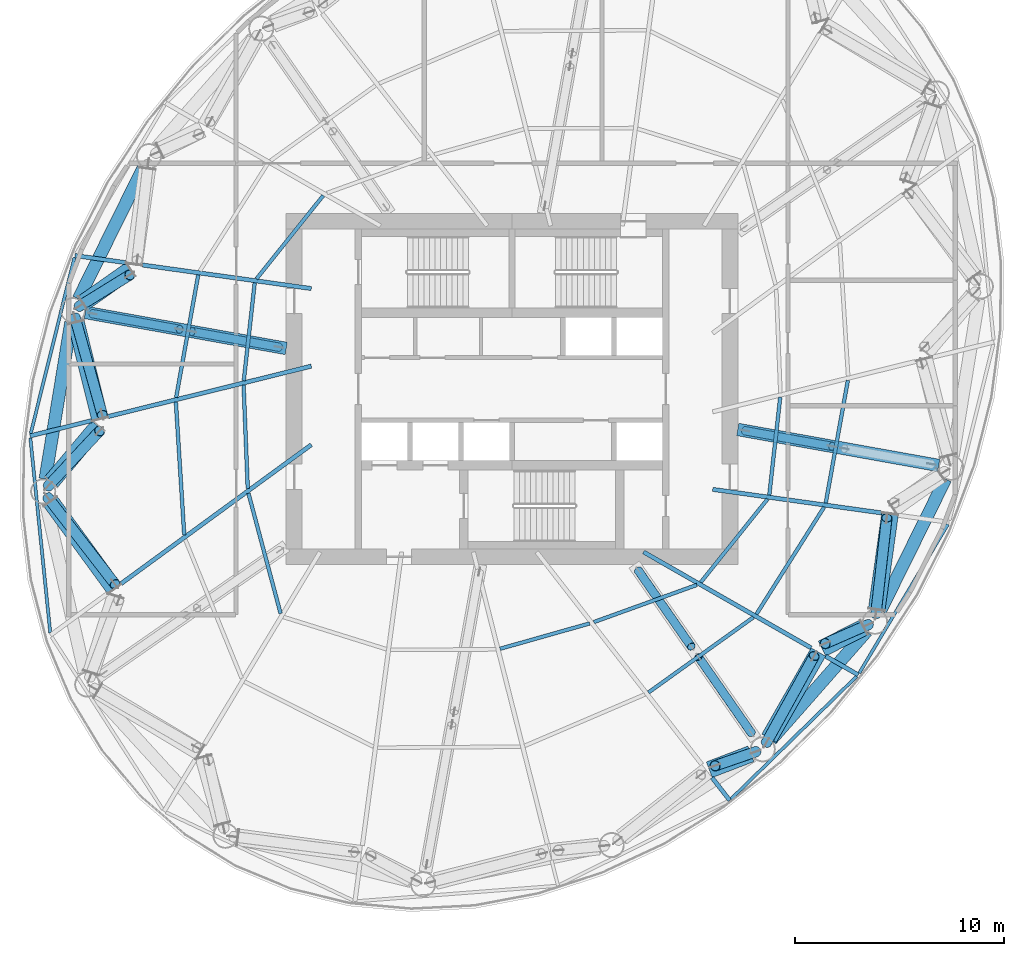
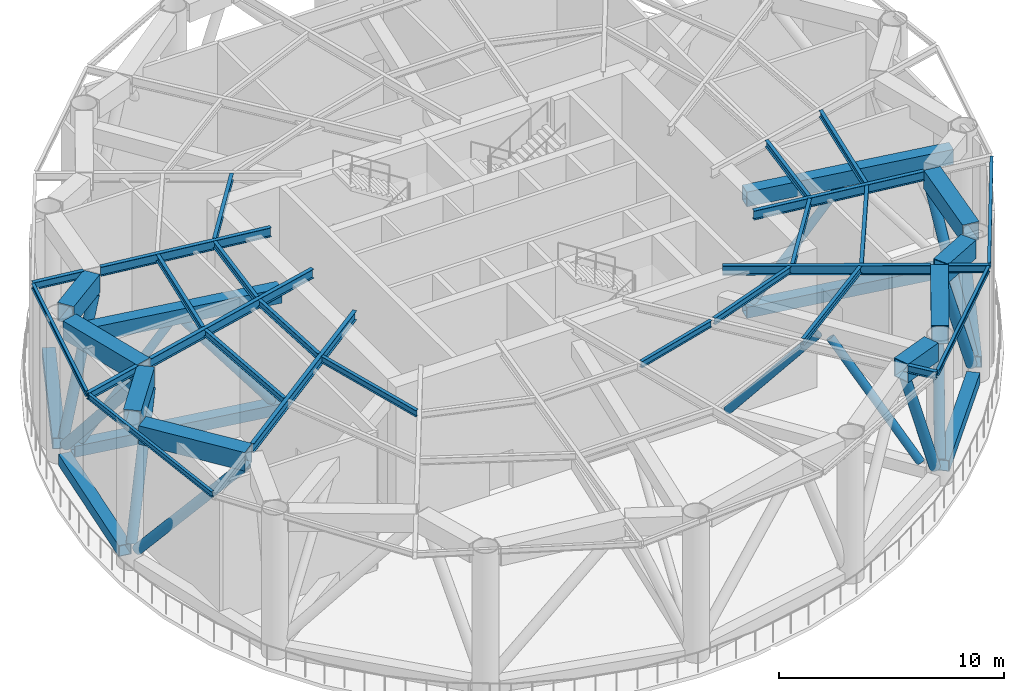
# One storey, part 2 of 15: 29 members, 26 beams.
"""IFC4 building model written with IfcOpenShell, lengths in metres."""

from ifc_helpers import new_model, si_unit, direction, frame, origin, origin_2d, place, context, subcontext, project, spatial, hollow_rectangle, hollow_circle, i_section, extrude, material, material_profile, profile_set, type_object, element, save


model = new_model("IFC4")

# Units and contexts
model_context = context("Model", 3, precision=1e-05, world=origin(), true_north=direction((0.0, 1.0)))
body_context = subcontext(model_context, "Body", "Model", "MODEL_VIEW")
ifc_project = project(units=[si_unit("LENGTHUNIT", "METRE"), si_unit("AREAUNIT", "SQUARE_METRE"), si_unit("VOLUMEUNIT", "CUBIC_METRE"), si_unit("PLANEANGLEUNIT", "RADIAN"), si_unit("MASSUNIT", "GRAM", prefix="KILO")], contexts=[model_context])

# Site, building, storey
site_placement = place(None, origin())
site = spatial("IfcSite", under=ifc_project, at=site_placement, CompositionType="ELEMENT")
building_placement = place(site_placement, origin())
building = spatial("IfcBuilding", under=site, at=building_placement, Name="Vermilion Reach Broadcast Tower", CompositionType="ELEMENT")
storey_placement = place(building_placement, frame((0.0, 0.0, 246.10009765625)))
storey = spatial("IfcBuildingStorey", under=building, at=storey_placement, Name="L61", CompositionType="ELEMENT", Elevation=246.10009765625)

# Members
ifc_material_1 = material(Name="Steel S460NL", Category="steel")
ifc_material_profile_1 = material_profile(ifc_material_1, hollow_rectangle(XDim=0.60009765625, YDim=0.60009765625, WallThickness=0.030029296875, at=origin_2d()), Name="S460NL BOX 600x600x30")
ifc_profile_set_1 = profile_set([ifc_material_profile_1], Name="Steel S460NL")
member_type_1 = type_object("IfcMemberType", Name="BT4-BC BOX 600x600x30", PredefinedType="CHORD", material=ifc_profile_set_1)
member_1_placement = place(storey_placement, frame((-23.628662109375, 10.595947265625, 0.2998046875), z_axis=(-0.442977497199, -0.896532730566, 0.0), x_axis=(0.896532730566, -0.442977497199, 0.0)))
element("IfcMember", 1, at=member_1_placement, inside=storey, type_object=member_type_1, Name="Belt truss bottom chord BT4-BC05", PredefinedType="CHORD", context=body_context, shape_type="SweptSolid", body=[
    extrude(hollow_rectangle(XDim=0.60009765625, YDim=0.60009765625, WallThickness=0.030029296875, at=origin_2d()), origin(), (0.0, 0.0, 1.0), 7.0166015625),
])
member_2_placement = place(storey_placement, frame((-27.099609375, 3.175537109375, 0.2998046875), z_axis=(-0.161778110263, -0.986827159659, 0.0), x_axis=(0.986827159659, -0.161778110263, 0.0)))
element("IfcMember", 2, at=member_2_placement, inside=storey, type_object=member_type_1, Name="Belt truss bottom chord BT4-BC06", PredefinedType="CHORD", context=body_context, shape_type="SweptSolid", body=[
    extrude(hollow_rectangle(XDim=0.60009765625, YDim=0.60009765625, WallThickness=0.030029296875, at=origin_2d()), origin(), (0.0, 0.0, 1.0), 7.584716796875),
])
member_3_placement = place(storey_placement, frame((6.3896484375, -16.786376953125, 0.2998046875), z_axis=(0.660565141761, 0.750768735024, 0.0), x_axis=(-0.750768735024, 0.660565141761, 0.0)))
element("IfcMember", 3, at=member_3_placement, inside=storey, type_object=member_type_1, Name="Belt truss bottom chord BT4-BC12", PredefinedType="CHORD", context=body_context, shape_type="SweptSolid", body=[
    extrude(hollow_rectangle(XDim=0.60009765625, YDim=0.60009765625, WallThickness=0.030029296875, at=origin_2d()), origin(), (0.0, 0.0, 1.0), 6.9287109375),
])
member_4_placement = place(storey_placement, frame((11.628662109375, -10.595947265625, 0.2998046875), z_axis=(0.442977497199, 0.896532730566, 0.0), x_axis=(-0.896532730566, 0.442977497199, 0.0)))
element("IfcMember", 4, at=member_4_placement, inside=storey, type_object=member_type_1, Name="Belt truss bottom chord BT4-BC13", PredefinedType="CHORD", context=body_context, shape_type="SweptSolid", body=[
    extrude(hollow_rectangle(XDim=0.60009765625, YDim=0.60009765625, WallThickness=0.030029296875, at=origin_2d()), origin(), (0.0, 0.0, 1.0), 7.0166015625),
])
ifc_material_2 = material(Name="Steel S355J2H", Category="steel")
ifc_material_profile_2 = material_profile(ifc_material_2, hollow_circle(Radius=0.25390625, WallThickness=0.02001953125, at=origin_2d()), Name="S355J2H CHS 508x20")
ifc_profile_set_2 = profile_set([ifc_material_profile_2], Name="Steel S355J2H")
member_type_2 = type_object("IfcMemberType", Name="BT4-D CHS 508x20", PredefinedType="BRACE", material=ifc_profile_set_2)
member_5_placement = place(storey_placement, frame((-26.705078125, 3.951904296875, 0.7998046875), z_axis=(0.362666063181, 0.22450930383, 0.904471613215), x_axis=(-0.526357565355, 0.850263320033, 0.0)))
element("IfcMember", 5, at=member_5_placement, inside=storey, type_object=member_type_2, Name="Belt truss diagonal BT4-D05B", PredefinedType="BRACE", context=body_context, shape_type="SweptSolid", body=[
    extrude(hollow_circle(Radius=0.25390625, WallThickness=0.02001953125, at=origin_2d()), origin(), (0.0, 0.0, 1.0), 6.677978515625),
])
member_6_placement = place(storey_placement, frame((-26.907958984375, 3.4306640625, 0.7998046875), z_axis=(0.168900208809, -0.601768126734, 0.780607353995), x_axis=(0.962795533332, 0.270230940118, 0.0)))
element("IfcMember", 6, at=member_6_placement, inside=storey, type_object=member_type_2, Name="Belt truss diagonal BT4-D06A", PredefinedType="BRACE", context=body_context, shape_type="SweptSolid", body=[
    extrude(hollow_circle(Radius=0.25390625, WallThickness=0.02001953125, at=origin_2d()), origin(), (0.0, 0.0, 1.0), 7.737548828125),
])
member_7_placement = place(storey_placement, frame((-28.18505859375, -4.6455078125, 0.7998046875), z_axis=(0.349136972785, 0.374174545629, 0.85912559247), x_axis=(-0.731145521254, 0.682221537883, 0.0)))
element("IfcMember", 7, at=member_7_placement, inside=storey, type_object=member_type_2, Name="Belt truss diagonal BT4-D06B", PredefinedType="BRACE", context=body_context, shape_type="SweptSolid", body=[
    extrude(hollow_circle(Radius=0.25390625, WallThickness=0.02001953125, at=origin_2d()), origin(), (0.0, 0.0, 1.0), 7.030517578125),
])
member_8_placement = place(storey_placement, frame((-28.20947265625, -5.17822265625, 0.7998046875), z_axis=(0.401701518429, -0.518774221575, 0.75465833138), x_axis=(0.790672162432, 0.612239766394, 0.0)))
element("IfcMember", 8, at=member_8_placement, inside=storey, type_object=member_type_2, Name="Belt truss diagonal BT4-D07A", PredefinedType="BRACE", context=body_context, shape_type="SweptSolid", body=[
    extrude(hollow_circle(Radius=0.25390625, WallThickness=0.02001953125, at=origin_2d()), origin(), (0.0, 0.0, 1.0), 8.003662109375),
])
member_9_placement = place(storey_placement, frame((5.662353515625, -17.35107421875, 0.7998046875), z_axis=(-0.30516783839, -0.105356929538, 0.946452591423), x_axis=(0.326341241305, -0.945252026829, 0.0)))
element("IfcMember", 9, at=member_9_placement, inside=storey, type_object=member_type_2, Name="Belt truss diagonal BT4-D11B", PredefinedType="BRACE", context=body_context, shape_type="SweptSolid", body=[
    extrude(hollow_circle(Radius=0.25390625, WallThickness=0.02001953125, at=origin_2d()), origin(), (0.0, 0.0, 1.0), 6.3818359375),
])
member_10_placement = place(storey_placement, frame((6.162353515625, -16.930419921875, 0.7998046875), z_axis=(0.298284173406, 0.540808947882, 0.786480917623), x_axis=(-0.875641488517, 0.482961679212, 0.0)))
element("IfcMember", 10, at=member_10_placement, inside=storey, type_object=member_type_2, Name="Belt truss diagonal BT4-D12A", PredefinedType="BRACE", context=body_context, shape_type="SweptSolid", body=[
    extrude(hollow_circle(Radius=0.25390625, WallThickness=0.02001953125, at=origin_2d()), origin(), (0.0, 0.0, 1.0), 7.679931640625),
])
member_11_placement = place(storey_placement, frame((11.042236328125, -11.2744140625, 0.7998046875), z_axis=(-0.319698294207, -0.139962701078, 0.937125094631), x_axis=(0.401046572744, -0.916057665483, 0.0)))
element("IfcMember", 11, at=member_11_placement, inside=storey, type_object=member_type_2, Name="Belt truss diagonal BT4-D12B", PredefinedType="BRACE", context=body_context, shape_type="SweptSolid", body=[
    extrude(hollow_circle(Radius=0.25390625, WallThickness=0.02001953125, at=origin_2d()), origin(), (0.0, 0.0, 1.0), 6.4453125),
])
member_12_placement = place(storey_placement, frame((11.402587890625, -10.7861328125, 0.7998046875), z_axis=(0.069033332246, 0.605923656347, 0.792521874599), x_axis=(-0.993572399398, 0.113198441486, 0.0)))
element("IfcMember", 12, at=member_12_placement, inside=storey, type_object=member_type_2, Name="Belt truss diagonal BT4-D13A", PredefinedType="BRACE", context=body_context, shape_type="SweptSolid", body=[
    extrude(hollow_circle(Radius=0.25390625, WallThickness=0.02001953125, at=origin_2d()), origin(), (0.0, 0.0, 1.0), 7.621337890625),
])
ifc_material_3 = material(Name="Steel S460NL", Category="steel")
ifc_material_profile_3 = material_profile(ifc_material_3, hollow_rectangle(XDim=0.800048828125, YDim=1.0, WallThickness=0.0400390625, at=origin_2d()), Name="S460NL BOX 800x1000x40")
ifc_profile_set_3 = profile_set([ifc_material_profile_3], Name="Steel S460NL")
member_type_3 = type_object("IfcMemberType", Name="BT4-TC BOX 800x1000x40", PredefinedType="CHORD", material=ifc_profile_set_3)
member_13_placement = place(storey_placement, frame((-24.251708984375, 5.70703125, 7.349853515625), z_axis=(-0.817321246994, -0.576182244791, 0.0), x_axis=(0.576182244791, -0.817321246994, 0.0)))
element("IfcMember", 13, at=member_13_placement, inside=storey, type_object=member_type_3, Name="Belt truss top chord BT4-TC10", PredefinedType="CHORD", context=body_context, shape_type="SweptSolid", body=[
    extrude(hollow_rectangle(XDim=0.800048828125, YDim=1.0, WallThickness=0.0400390625, at=origin_2d()), origin(), (0.0, 0.0, 1.0), 2.755859375),
])
member_14_placement = place(storey_placement, frame((-26.855712890625, 3.175537109375, 7.349853515625), z_axis=(0.240860199822, -0.970559819971, 0.0), x_axis=(0.970559819971, 0.240860199822, 0.0)))
element("IfcMember", 14, at=member_14_placement, inside=storey, type_object=member_type_3, Name="Belt truss top chord BT4-TC11", PredefinedType="CHORD", context=body_context, shape_type="SweptSolid", body=[
    extrude(hollow_rectangle(XDim=0.800048828125, YDim=1.0, WallThickness=0.0400390625, at=origin_2d()), origin(), (0.0, 0.0, 1.0), 4.732666015625),
])
member_15_placement = place(storey_placement, frame((-25.800048828125, -1.780029296875, 7.349853515625), z_axis=(-0.64342651771, -0.765507881284, 0.0), x_axis=(0.765507881284, -0.64342651771, 0.0)))
element("IfcMember", 15, at=member_15_placement, inside=storey, type_object=member_type_3, Name="Belt truss top chord BT4-TC12", PredefinedType="CHORD", context=body_context, shape_type="SweptSolid", body=[
    extrude(hollow_rectangle(XDim=0.800048828125, YDim=1.0, WallThickness=0.0400390625, at=origin_2d()), origin(), (0.0, 0.0, 1.0), 3.4677734375),
])
member_16_placement = place(storey_placement, frame((-28.06396484375, -5.39404296875, 7.349853515625), z_axis=(0.58965388563, -0.807656050037, 0.0), x_axis=(0.807656050037, 0.58965388563, 0.0)))
element("IfcMember", 16, at=member_16_placement, inside=storey, type_object=member_type_3, Name="Belt truss top chord BT4-TC13", PredefinedType="CHORD", context=body_context, shape_type="SweptSolid", body=[
    extrude(hollow_rectangle(XDim=0.800048828125, YDim=1.0, WallThickness=0.0400390625, at=origin_2d()), origin(), (0.0, 0.0, 1.0), 5.148193359375),
])
member_17_placement = place(storey_placement, frame((3.437255859375, -18.214599609375, 7.349853515625), z_axis=(0.934006774125, 0.357255295117, 0.0), x_axis=(-0.357255295117, 0.934006774125, 0.0)))
element("IfcMember", 17, at=member_17_placement, inside=storey, type_object=member_type_3, Name="Belt truss top chord BT4-TC22", PredefinedType="CHORD", context=body_context, shape_type="SweptSolid", body=[
    extrude(hollow_rectangle(XDim=0.800048828125, YDim=1.0, WallThickness=0.0400390625, at=origin_2d()), origin(), (0.0, 0.0, 1.0), 2.126708984375),
])
member_18_placement = place(storey_placement, frame((6.29638671875, -16.70751953125, 7.349853515625), z_axis=(0.496675773172, 0.867936159141, 0.0), x_axis=(-0.867936159141, 0.496675773172, 0.0)))
element("IfcMember", 18, at=member_18_placement, inside=storey, type_object=member_type_3, Name="Belt truss top chord BT4-TC23", PredefinedType="CHORD", context=body_context, shape_type="SweptSolid", body=[
    extrude(hollow_rectangle(XDim=0.800048828125, YDim=1.0, WallThickness=0.0400390625, at=origin_2d()), origin(), (0.0, 0.0, 1.0), 4.749755859375),
])
member_19_placement = place(storey_placement, frame((8.82861328125, -12.42041015625, 7.349853515625), z_axis=(0.891698013812, 0.452630812212, 0.0), x_axis=(-0.452630812212, 0.891698013812, 0.0)))
element("IfcMember", 19, at=member_19_placement, inside=storey, type_object=member_type_3, Name="Belt truss top chord BT4-TC24", PredefinedType="CHORD", context=body_context, shape_type="SweptSolid", body=[
    extrude(hollow_rectangle(XDim=0.800048828125, YDim=1.0, WallThickness=0.0400390625, at=origin_2d()), origin(), (0.0, 0.0, 1.0), 2.23193359375),
])
member_20_placement = place(storey_placement, frame((11.447265625, -10.52978515625, 7.349853515625), z_axis=(0.138209386022, 0.990403031909, 0.0), x_axis=(-0.990403031909, 0.138209386022, 0.0)))
element("IfcMember", 20, at=member_20_placement, inside=storey, type_object=member_type_3, Name="Belt truss top chord BT4-TC25", PredefinedType="CHORD", context=body_context, shape_type="SweptSolid", body=[
    extrude(hollow_rectangle(XDim=0.800048828125, YDim=1.0, WallThickness=0.0400390625, at=origin_2d()), origin(), (0.0, 0.0, 1.0), 4.58740234375),
])

# Beams
ifc_material_4 = material(Name="Steel S355J2", Category="steel")
ifc_material_profile_4 = material_profile(ifc_material_4, i_section(OverallWidth=0.14990234375, OverallDepth=0.300048828125, WebThickness=0.006591796875, FlangeThickness=0.009033203125, at=origin_2d()), Name="S355J2 HN 300x150x6.5x9")
ifc_profile_set_4 = profile_set([ifc_material_profile_4], Name="Steel S355J2")
beam_type_1 = type_object("IfcBeamType", Name="EB5 HN 300x150x6.5x9", PredefinedType="BEAM", material=ifc_profile_set_4)
beam_1_placement = place(storey_placement, frame((-26.929931640625, 6.282958984375, 7.699951171875), z_axis=(-0.241210883197, -0.970472724927, 0.0), x_axis=(0.970472724927, -0.241210883197, 0.0)))
element("IfcBeam", 21, at=beam_1_placement, inside=storey, type_object=beam_type_1, Name="Edge beam EB5-05", PredefinedType="BEAM", context=body_context, shape_type="SweptSolid", body=[
    extrude(i_section(OverallWidth=0.14990234375, OverallDepth=0.300048828125, WebThickness=0.006591796875, FlangeThickness=0.009033203125, at=origin_2d()), origin(), (0.0, 0.0, 1.0), 8.674072265625),
])
beam_2_placement = place(storey_placement, frame((-29.0390625, -2.34521484375, 7.699951171875), z_axis=(0.101813852485, -0.994803467747, 0.0), x_axis=(0.994803467747, 0.101813852485, 0.0)))
element("IfcBeam", 22, at=beam_2_placement, inside=storey, type_object=beam_type_1, Name="Edge beam EB5-06", PredefinedType="BEAM", context=body_context, shape_type="SweptSolid", body=[
    extrude(i_section(OverallWidth=0.14990234375, OverallDepth=0.300048828125, WebThickness=0.006591796875, FlangeThickness=0.009033203125, at=origin_2d()), origin(), (0.0, 0.0, 1.0), 9.36376953125),
])
beam_3_placement = place(storey_placement, frame((4.48583984375, -19.606689453125, 7.699951171875), z_axis=(0.715456044362, 0.698657747817, 0.0), x_axis=(-0.698657747817, 0.715456044362, 0.0)))
element("IfcBeam", 23, at=beam_3_placement, inside=storey, type_object=beam_type_1, Name="Edge beam EB5-11", PredefinedType="BEAM", context=body_context, shape_type="SweptSolid", body=[
    extrude(i_section(OverallWidth=0.14990234375, OverallDepth=0.300048828125, WebThickness=0.006591796875, FlangeThickness=0.009033203125, at=origin_2d()), origin(), (0.0, 0.0, 1.0), 8.385986328125),
])
beam_4_placement = place(storey_placement, frame((10.611328125, -13.589111328125, 7.699951171875), z_axis=(0.511796842836, 0.859106507753, 0.0), x_axis=(-0.859106507753, 0.511796842836, 0.0)))
element("IfcBeam", 24, at=beam_4_placement, inside=storey, type_object=beam_type_1, Name="Edge beam EB5-12", PredefinedType="BEAM", context=body_context, shape_type="SweptSolid", body=[
    extrude(i_section(OverallWidth=0.14990234375, OverallDepth=0.300048828125, WebThickness=0.006591796875, FlangeThickness=0.009033203125, at=origin_2d()), origin(), (0.0, 0.0, 1.0), 8.2822265625),
])
ifc_material_5 = material(Name="Steel S355J2", Category="steel")
ifc_material_profile_5 = material_profile(ifc_material_5, i_section(OverallWidth=0.199951171875, OverallDepth=0.5, WebThickness=0.010009765625, FlangeThickness=0.01611328125, at=origin_2d()), Name="S355J2 HN 500x200x10x16")
ifc_profile_set_5 = profile_set([ifc_material_profile_5], Name="Steel S355J2")
beam_type_2 = type_object("IfcBeamType", Name="G5 HN 500x200x10x16", PredefinedType="BEAM", material=ifc_profile_set_5)
beam_5_placement = place(storey_placement, frame((-15.60009765625, 4.802734375, 7.599853515625), z_axis=(-0.990400135044, 0.138230143259, 0.0), x_axis=(-0.138230143259, -0.990400135044, 0.0)))
element("IfcBeam", 25, at=beam_5_placement, inside=storey, type_object=beam_type_2, Name="Girder G5-05", PredefinedType="BEAM", context=body_context, shape_type="SweptSolid", body=[
    extrude(i_section(OverallWidth=0.199951171875, OverallDepth=0.5, WebThickness=0.010009765625, FlangeThickness=0.01611328125, at=origin_2d()), origin(), (0.0, 0.0, 1.0), 8.163330078125),
])
beam_6_placement = place(storey_placement, frame((-15.60009765625, 1.092529296875, 7.599853515625), z_axis=(-0.970565152156, -0.240838712463, 0.0), x_axis=(0.240838712463, -0.970565152156, 0.0)))
element("IfcBeam", 26, at=beam_6_placement, inside=storey, type_object=beam_type_2, Name="Girder G5-06", PredefinedType="BEAM", context=body_context, shape_type="SweptSolid", body=[
    extrude(i_section(OverallWidth=0.199951171875, OverallDepth=0.5, WebThickness=0.010009765625, FlangeThickness=0.01611328125, at=origin_2d()), origin(), (0.0, 0.0, 1.0), 10.0224609375),
])
beam_7_placement = place(storey_placement, frame((-15.60009765625, -2.66845703125, 7.599853515625), z_axis=(-0.807649347064, -0.589663066663, 0.0), x_axis=(0.589663066663, -0.807649347064, 0.0)))
element("IfcBeam", 27, at=beam_7_placement, inside=storey, type_object=beam_type_2, Name="Girder G5-07", PredefinedType="BEAM", context=body_context, shape_type="SweptSolid", body=[
    extrude(i_section(OverallWidth=0.199951171875, OverallDepth=0.5, WebThickness=0.010009765625, FlangeThickness=0.01611328125, at=origin_2d()), origin(), (0.0, 0.0, 1.0), 11.273681640625),
])
beam_8_placement = place(storey_placement, frame((0.29443359375, -7.800048828125, 7.599853515625), z_axis=(0.867914274008, -0.496714015278, 0.0), x_axis=(0.496714015278, 0.867914274008, 0.0)))
element("IfcBeam", 28, at=beam_8_placement, inside=storey, type_object=beam_type_2, Name="Girder G5-12", PredefinedType="BEAM", context=body_context, shape_type="SweptSolid", body=[
    extrude(i_section(OverallWidth=0.199951171875, OverallDepth=0.5, WebThickness=0.010009765625, FlangeThickness=0.01611328125, at=origin_2d()), origin(), (0.0, 0.0, 1.0), 9.233642578125),
])
beam_9_placement = place(storey_placement, frame((3.60009765625, -4.802734375, 7.599853515625), z_axis=(0.990400135044, -0.138230143259, 0.0), x_axis=(0.138230143259, 0.990400135044, 0.0)))
element("IfcBeam", 29, at=beam_9_placement, inside=storey, type_object=beam_type_2, Name="Girder G5-13", PredefinedType="BEAM", context=body_context, shape_type="SweptSolid", body=[
    extrude(i_section(OverallWidth=0.199951171875, OverallDepth=0.5, WebThickness=0.010009765625, FlangeThickness=0.01611328125, at=origin_2d()), origin(), (0.0, 0.0, 1.0), 8.163330078125),
])
ifc_material_6 = material(Name="Steel S355J2", Category="steel")
ifc_material_profile_6 = material_profile(ifc_material_6, i_section(OverallWidth=0.199951171875, OverallDepth=0.39990234375, WebThickness=0.008056640625, FlangeThickness=0.012939453125, at=origin_2d()), Name="S355J2 HN 400x200x8x13")
ifc_profile_set_6 = profile_set([ifc_material_profile_6], Name="Steel S355J2")
beam_type_3 = type_object("IfcBeamType", Name="GC5 HN 400x200x8x13", PredefinedType="BEAM", material=ifc_profile_set_6)
beam_10_placement = place(storey_placement, frame((-24.4775390625, 6.041748046875, 7.64990234375), z_axis=(-0.990400456991, 0.138227836531, 0.0), x_axis=(-0.138227836531, -0.990400456991, 0.0)))
element("IfcBeam", 30, at=beam_10_placement, inside=storey, type_object=beam_type_3, Name="Cantilever girder GC5-05", PredefinedType="BEAM", context=body_context, shape_type="SweptSolid", body=[
    extrude(i_section(OverallWidth=0.199951171875, OverallDepth=0.39990234375, WebThickness=0.008056640625, FlangeThickness=0.012939453125, at=origin_2d()), origin(), (0.0, 0.0, 1.0), 2.451416015625),
])
beam_11_placement = place(storey_placement, frame((-26.104248046875, -1.513916015625, 7.64990234375), z_axis=(-0.970552852649, -0.240888273301, 0.0), x_axis=(0.240888273301, -0.970552852649, 0.0)))
element("IfcBeam", 31, at=beam_11_placement, inside=storey, type_object=beam_type_3, Name="Cantilever girder GC5-06", PredefinedType="BEAM", context=body_context, shape_type="SweptSolid", body=[
    extrude(i_section(OverallWidth=0.199951171875, OverallDepth=0.39990234375, WebThickness=0.008056640625, FlangeThickness=0.012939453125, at=origin_2d()), origin(), (0.0, 0.0, 1.0), 3.034423828125),
])
beam_12_placement = place(storey_placement, frame((3.571533203125, -18.593017578125, 7.64990234375), z_axis=(0.613571172347, -0.789639421803, 0.0), x_axis=(0.789639421803, 0.613571172347, 0.0)))
element("IfcBeam", 32, at=beam_12_placement, inside=storey, type_object=beam_type_3, Name="Cantilever girder GC5-11", PredefinedType="BEAM", context=body_context, shape_type="SweptSolid", body=[
    extrude(i_section(OverallWidth=0.199951171875, OverallDepth=0.39990234375, WebThickness=0.008056640625, FlangeThickness=0.012939453125, at=origin_2d()), origin(), (0.0, 0.0, 1.0), 1.372802734375),
])
beam_13_placement = place(storey_placement, frame((9.002685546875, -12.78369140625, 7.64990234375), z_axis=(0.867899655165, -0.496739558083, 0.0), x_axis=(0.496739558083, 0.867899655165, 0.0)))
element("IfcBeam", 33, at=beam_13_placement, inside=storey, type_object=beam_type_3, Name="Cantilever girder GC5-12", PredefinedType="BEAM", context=body_context, shape_type="SweptSolid", body=[
    extrude(i_section(OverallWidth=0.199951171875, OverallDepth=0.39990234375, WebThickness=0.008056640625, FlangeThickness=0.012939453125, at=origin_2d()), origin(), (0.0, 0.0, 1.0), 1.79443359375),
])

# Members
ifc_material_7 = material(Name="Steel S460NL", Category="steel")
ifc_material_profile_7 = material_profile(ifc_material_7, hollow_rectangle(XDim=0.60009765625, YDim=0.60009765625, WallThickness=0.030029296875, at=origin_2d()), Name="S460NL BOX 600x600x30")
ifc_profile_set_7 = profile_set([ifc_material_profile_7], Name="Steel S460NL")
member_type_4 = type_object("IfcMemberType", Name="OR4-BC BOX 600x600x30", PredefinedType="CHORD", material=ifc_profile_set_7)
for number, where, z_axis, x_axis, name in (
    (34, (-16.800048828125, 1.9375, 0.2998046875), (-0.984291153273, 0.176552897422, 0.0), (-0.176552897422, -0.984291153273, 0.0), "Outrigger bottom chord OR4-06"),
    (35, (4.800048828125, -1.9375, 0.2998046875), (0.984291153273, -0.176552897422, 0.0), (0.176552897422, 0.984291153273, 0.0), "Outrigger bottom chord OR4-14"),
):
    element("IfcMember", number, at=place(storey_placement, frame(where, z_axis=z_axis, x_axis=x_axis)), inside=storey, type_object=member_type_4, Name=name, PredefinedType="CHORD", context=body_context, shape_type="SweptSolid", body=[
        extrude(hollow_rectangle(XDim=0.60009765625, YDim=0.60009765625, WallThickness=0.030029296875, at=origin_2d()), origin(), (0.0, 0.0, 1.0), 9.765380859375),
    ])
ifc_material_8 = material(Name="Steel S355J2H", Category="steel")
ifc_material_profile_8 = material_profile(ifc_material_8, hollow_circle(Radius=0.203125, WallThickness=0.01611328125, at=origin_2d()), Name="S355J2H CHS 406x16")
ifc_profile_set_8 = profile_set([ifc_material_profile_8], Name="Steel S355J2H")
member_type_5 = type_object("IfcMemberType", Name="OR4-D CHS 406x16", PredefinedType="BRACE", material=ifc_profile_set_8)
for number, where, z_axis, x_axis, name in (
    (36, (-17.14453125, 1.999267578125, 0.599853515625), (-0.60375398085, 0.108297154139, 0.789780258688), (-0.176555169792, -0.984290745674, 0.0), "Outrigger diagonal OR4-06-DA"),
    (37, (-26.067626953125, 3.599853515625, 0.599853515625), (0.60375398085, -0.108297154139, 0.789780258688), (0.176555169792, 0.984290745674, 0.0), "Outrigger diagonal OR4-06-DB"),
):
    element("IfcMember", number, at=place(storey_placement, frame(where, z_axis=z_axis, x_axis=x_axis)), inside=storey, type_object=member_type_5, Name=name, PredefinedType="BRACE", context=body_context, shape_type="SweptSolid", body=[
        extrude(hollow_circle(Radius=0.203125, WallThickness=0.01611328125, at=origin_2d()), origin(), (0.0, 0.0, 1.0), 6.900634765625),
    ])
for number, where, z_axis, x_axis, name in (
    (38, (0.044677734375, -8.687255859375, 0.599853515625), (0.360386232714, -0.517955295311, 0.775786101531), (0.82085356024, 0.57113871576, 0.0), "Outrigger diagonal OR4-12-DA"),
    (39, (5.45068359375, -16.45703125, 0.599853515625), (-0.360386232714, 0.517955295311, 0.775786101531), (-0.82085356024, -0.57113871576, 0.0), "Outrigger diagonal OR4-12-DB"),
):
    element("IfcMember", number, at=place(storey_placement, frame(where, z_axis=z_axis, x_axis=x_axis)), inside=storey, type_object=member_type_5, Name=name, PredefinedType="BRACE", context=body_context, shape_type="SweptSolid", body=[
        extrude(hollow_circle(Radius=0.203125, WallThickness=0.01611328125, at=origin_2d()), origin(), (0.0, 0.0, 1.0), 7.025146484375),
    ])
member_21_placement = place(storey_placement, frame((5.14453125, -1.999267578125, 0.599853515625), z_axis=(0.60375398085, -0.108297154139, 0.789780258688), x_axis=(0.176555169792, 0.984290745674, 0.0)))
element("IfcMember", 40, at=member_21_placement, inside=storey, type_object=member_type_5, Name="Outrigger diagonal OR4-14-DA", PredefinedType="BRACE", context=body_context, shape_type="SweptSolid", body=[
    extrude(hollow_circle(Radius=0.203125, WallThickness=0.01611328125, at=origin_2d()), origin(), (0.0, 0.0, 1.0), 6.900634765625),
])
ifc_material_9 = material(Name="Steel S460NL", Category="steel")
ifc_material_profile_9 = material_profile(ifc_material_9, hollow_rectangle(XDim=0.60009765625, YDim=0.800048828125, WallThickness=0.030029296875, at=origin_2d()), Name="S460NL BOX 600x800x30")
ifc_profile_set_9 = profile_set([ifc_material_profile_9], Name="Steel S460NL")
member_type_6 = type_object("IfcMemberType", Name="OR4-TC BOX 600x800x30", PredefinedType="CHORD", material=ifc_profile_set_9)
for number, where, z_axis, x_axis, name in (
    (41, (-16.800048828125, 1.9375, 6.449951171875), (-0.984291153273, 0.176552897422, 0.0), (-0.176552897422, -0.984291153273, 0.0), "Outrigger top chord OR4-06"),
    (42, (4.800048828125, -1.9375, 6.449951171875), (0.984291153273, -0.176552897422, 0.0), (0.176552897422, 0.984291153273, 0.0), "Outrigger top chord OR4-14"),
):
    element("IfcMember", number, at=place(storey_placement, frame(where, z_axis=z_axis, x_axis=x_axis)), inside=storey, type_object=member_type_6, Name=name, PredefinedType="CHORD", context=body_context, shape_type="SweptSolid", body=[
        extrude(hollow_rectangle(XDim=0.60009765625, YDim=0.800048828125, WallThickness=0.030029296875, at=origin_2d()), origin(), (0.0, 0.0, 1.0), 9.765380859375),
    ])

# Beams
ifc_material_10 = material(Name="Steel S355J2", Category="steel")
ifc_material_profile_10 = material_profile(ifc_material_10, i_section(OverallWidth=0.175048828125, OverallDepth=0.35009765625, WebThickness=0.007080078125, FlangeThickness=0.010986328125, at=origin_2d()), Name="S355J2 HN 350x175x7x11")
ifc_profile_set_10 = profile_set([ifc_material_profile_10], Name="Steel S355J2")
beam_type_4 = type_object("IfcBeamType", Name="SB5 HN 350x175x7x11", PredefinedType="BEAM", material=ifc_profile_set_10)
beam_14_placement = place(storey_placement, frame((-15.029052734375, 9.249755859375, 7.6748046875), z_axis=(-0.625762219576, -0.780013874589, 0.0), x_axis=(0.780013874589, -0.625762219576, 0.0)))
element("IfcBeam", 43, at=beam_14_placement, inside=storey, type_object=beam_type_4, Name="Secondary beam SB5-04-1", PredefinedType="BEAM", context=body_context, shape_type="SweptSolid", body=[
    extrude(i_section(OverallWidth=0.175048828125, OverallDepth=0.35009765625, WebThickness=0.007080078125, FlangeThickness=0.010986328125, at=origin_2d()), origin(), (0.0, 0.0, 1.0), 5.102783203125),
])
beam_15_placement = place(storey_placement, frame((-18.30615234375, 5.079345703125, 7.6748046875), z_axis=(-0.111278301883, -0.993789283264, 0.0), x_axis=(0.993789283264, -0.111278301883, 0.0)))
element("IfcBeam", 44, at=beam_15_placement, inside=storey, type_object=beam_type_4, Name="Secondary beam SB5-05-1", PredefinedType="BEAM", context=body_context, shape_type="SweptSolid", body=[
    extrude(i_section(OverallWidth=0.175048828125, OverallDepth=0.35009765625, WebThickness=0.007080078125, FlangeThickness=0.010986328125, at=origin_2d()), origin(), (0.0, 0.0, 1.0), 4.71484375),
])
beam_16_placement = place(storey_placement, frame((-21.0078125, 5.45654296875, 7.6748046875), z_axis=(-0.177490241613, -0.984122560524, 0.0), x_axis=(0.984122560524, -0.177490241613, 0.0)))
element("IfcBeam", 45, at=beam_16_placement, inside=storey, type_object=beam_type_4, Name="Secondary beam SB5-05-2", PredefinedType="BEAM", context=body_context, shape_type="SweptSolid", body=[
    extrude(i_section(OverallWidth=0.175048828125, OverallDepth=0.35009765625, WebThickness=0.007080078125, FlangeThickness=0.010986328125, at=origin_2d()), origin(), (0.0, 0.0, 1.0), 5.960205078125),
])
beam_17_placement = place(storey_placement, frame((-18.83837890625, 0.185791015625, 7.6748046875), z_axis=(0.040066445145, -0.999197017596, 0.0), x_axis=(0.999197017596, 0.040066445145, 0.0)))
element("IfcBeam", 46, at=beam_17_placement, inside=storey, type_object=beam_type_4, Name="Secondary beam SB5-06-1", PredefinedType="BEAM", context=body_context, shape_type="SweptSolid", body=[
    extrude(i_section(OverallWidth=0.175048828125, OverallDepth=0.35009765625, WebThickness=0.007080078125, FlangeThickness=0.010986328125, at=origin_2d()), origin(), (0.0, 0.0, 1.0), 4.953857421875),
])
beam_18_placement = place(storey_placement, frame((-22.078857421875, -0.6181640625, 7.6748046875), z_axis=(0.062907458592, -0.998019364368, 0.0), x_axis=(0.998019364368, 0.062907458592, 0.0)))
element("IfcBeam", 47, at=beam_18_placement, inside=storey, type_object=beam_type_4, Name="Secondary beam SB5-06-2", PredefinedType="BEAM", context=body_context, shape_type="SweptSolid", body=[
    extrude(i_section(OverallWidth=0.175048828125, OverallDepth=0.35009765625, WebThickness=0.007080078125, FlangeThickness=0.010986328125, at=origin_2d()), origin(), (0.0, 0.0, 1.0), 6.37646484375),
])
beam_19_placement = place(storey_placement, frame((-18.607421875, -4.988037109375, 7.6748046875), z_axis=(0.25845335965, -0.966023737227, 0.0), x_axis=(0.966023737227, 0.25845335965, 0.0)))
element("IfcBeam", 48, at=beam_19_placement, inside=storey, type_object=beam_type_4, Name="Secondary beam SB5-07-1", PredefinedType="BEAM", context=body_context, shape_type="SweptSolid", body=[
    extrude(i_section(OverallWidth=0.175048828125, OverallDepth=0.35009765625, WebThickness=0.007080078125, FlangeThickness=0.010986328125, at=origin_2d()), origin(), (0.0, 0.0, 1.0), 5.956787109375),
])
beam_20_placement = place(storey_placement, frame((-6.572265625, -12.42919921875, 7.6748046875), z_axis=(0.962197641599, 0.272352158982, 0.0), x_axis=(-0.272352158982, 0.962197641599, 0.0)))
element("IfcBeam", 49, at=beam_20_placement, inside=storey, type_object=beam_type_4, Name="Secondary beam SB5-10-1", PredefinedType="BEAM", context=body_context, shape_type="SweptSolid", body=[
    extrude(i_section(OverallWidth=0.175048828125, OverallDepth=0.35009765625, WebThickness=0.007080078125, FlangeThickness=0.010986328125, at=origin_2d()), origin(), (0.0, 0.0, 1.0), 4.452392578125),
])
beam_21_placement = place(storey_placement, frame((-2.085205078125, -11.1513671875, 7.6748046875), z_axis=(0.940632864512, 0.339425712344, 0.0), x_axis=(-0.339425712344, 0.940632864512, 0.0)))
element("IfcBeam", 50, at=beam_21_placement, inside=storey, type_object=beam_type_4, Name="Secondary beam SB5-11-1", PredefinedType="BEAM", context=body_context, shape_type="SweptSolid", body=[
    extrude(i_section(OverallWidth=0.175048828125, OverallDepth=0.35009765625, WebThickness=0.007080078125, FlangeThickness=0.010986328125, at=origin_2d()), origin(), (0.0, 0.0, 1.0), 5.238525390625),
])
beam_22_placement = place(storey_placement, frame((0.529541015625, -14.51611328125, 7.6748046875), z_axis=(0.812955061895, 0.582326426792, 0.0), x_axis=(-0.582326426792, 0.812955061895, 0.0)))
element("IfcBeam", 51, at=beam_22_placement, inside=storey, type_object=beam_type_4, Name="Secondary beam SB5-11-2", PredefinedType="BEAM", context=body_context, shape_type="SweptSolid", body=[
    extrude(i_section(OverallWidth=0.175048828125, OverallDepth=0.35009765625, WebThickness=0.007080078125, FlangeThickness=0.010986328125, at=origin_2d()), origin(), (0.0, 0.0, 1.0), 6.172607421875),
])
beam_23_placement = place(storey_placement, frame((3.029052734375, -9.249755859375, 7.6748046875), z_axis=(0.625762219576, 0.780013874589, 0.0), x_axis=(-0.780013874589, 0.625762219576, 0.0)))
element("IfcBeam", 52, at=beam_23_placement, inside=storey, type_object=beam_type_4, Name="Secondary beam SB5-12-1", PredefinedType="BEAM", context=body_context, shape_type="SweptSolid", body=[
    extrude(i_section(OverallWidth=0.175048828125, OverallDepth=0.35009765625, WebThickness=0.007080078125, FlangeThickness=0.010986328125, at=origin_2d()), origin(), (0.0, 0.0, 1.0), 5.102783203125),
])
beam_24_placement = place(storey_placement, frame((5.690673828125, -10.77294921875, 7.6748046875), z_axis=(0.534432209023, 0.845211342777, 0.0), x_axis=(-0.845211342777, 0.534432209023, 0.0)))
element("IfcBeam", 53, at=beam_24_placement, inside=storey, type_object=beam_type_4, Name="Secondary beam SB5-12-2", PredefinedType="BEAM", context=body_context, shape_type="SweptSolid", body=[
    extrude(i_section(OverallWidth=0.175048828125, OverallDepth=0.35009765625, WebThickness=0.007080078125, FlangeThickness=0.010986328125, at=origin_2d()), origin(), (0.0, 0.0, 1.0), 6.06396484375),
])
beam_25_placement = place(storey_placement, frame((6.30615234375, -5.079345703125, 7.6748046875), z_axis=(0.111278301883, 0.993789283264, 0.0), x_axis=(-0.993789283264, 0.111278301883, 0.0)))
element("IfcBeam", 54, at=beam_25_placement, inside=storey, type_object=beam_type_4, Name="Secondary beam SB5-13-1", PredefinedType="BEAM", context=body_context, shape_type="SweptSolid", body=[
    extrude(i_section(OverallWidth=0.175048828125, OverallDepth=0.35009765625, WebThickness=0.007080078125, FlangeThickness=0.010986328125, at=origin_2d()), origin(), (0.0, 0.0, 1.0), 4.71484375),
])
beam_26_placement = place(storey_placement, frame((9.0078125, -5.45654296875, 7.6748046875), z_axis=(0.177490241613, 0.984122560524, 0.0), x_axis=(-0.984122560524, 0.177490241613, 0.0)))
element("IfcBeam", 55, at=beam_26_placement, inside=storey, type_object=beam_type_4, Name="Secondary beam SB5-13-2", PredefinedType="BEAM", context=body_context, shape_type="SweptSolid", body=[
    extrude(i_section(OverallWidth=0.175048828125, OverallDepth=0.35009765625, WebThickness=0.007080078125, FlangeThickness=0.010986328125, at=origin_2d()), origin(), (0.0, 0.0, 1.0), 5.960205078125),
])

save(model, "model.ifc")
